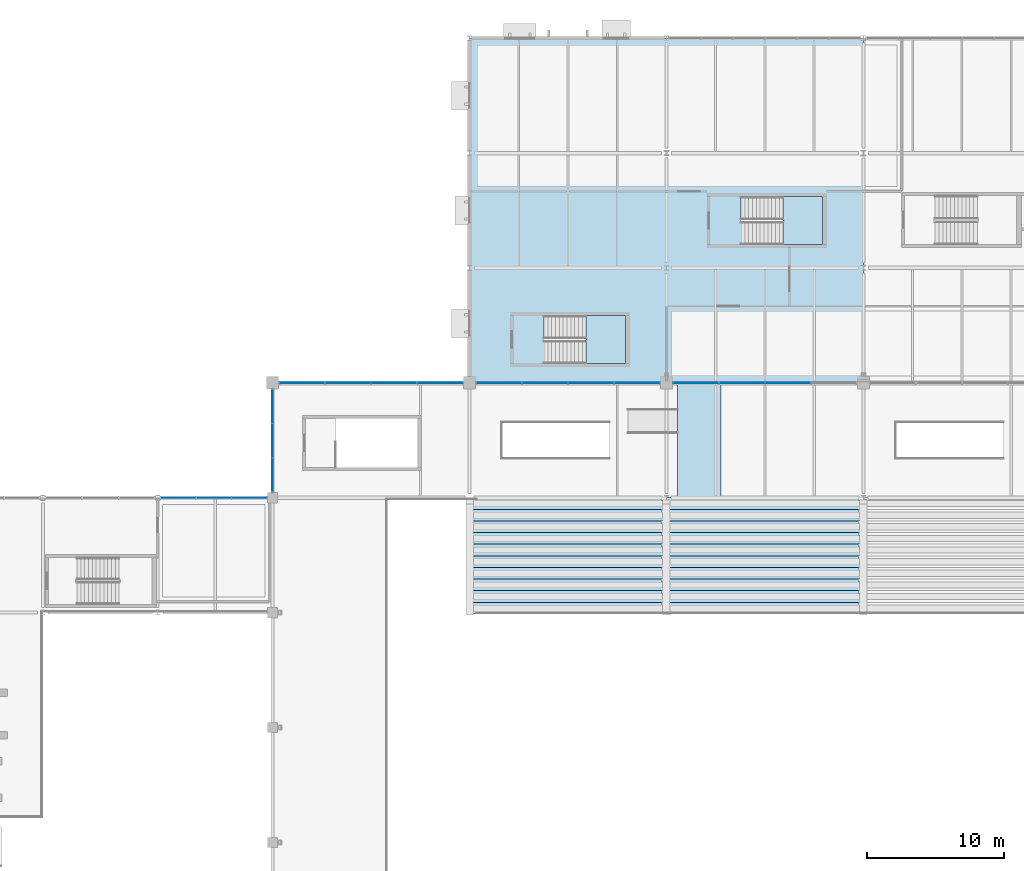
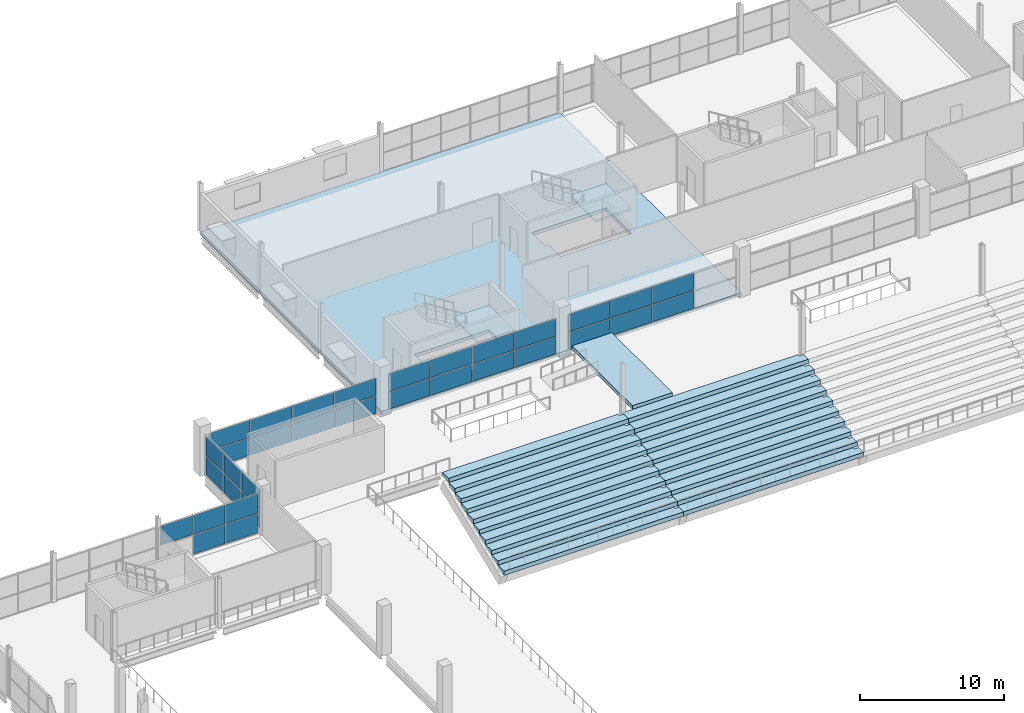
# One storey, part 126 of 161: 33 plates, 24 slabs, 7 elements without a shape of their own.
"""IFC4 building model written with IfcOpenShell, lengths in metres."""

from ifc_helpers import new_model, si_unit, direction, frame, origin, origin_2d, place, context, subcontext, project, spatial, polyline, rectangle, outline, extrude, material, layer, layer_set, type_object, element, aggregate, save


model = new_model("IFC4")

# Units and contexts
model_context = context("Model", 3, precision=1e-05, world=origin(), true_north=direction((0.0, 1.0)))
body_context = subcontext(model_context, "Body", "Model", "MODEL_VIEW")
ifc_project = project(units=[si_unit("LENGTHUNIT", "METRE"), si_unit("AREAUNIT", "SQUARE_METRE"), si_unit("VOLUMEUNIT", "CUBIC_METRE"), si_unit("PLANEANGLEUNIT", "RADIAN"), si_unit("MASSUNIT", "GRAM", prefix="KILO"), si_unit("THERMODYNAMICTEMPERATUREUNIT", "KELVIN")], contexts=[model_context])

# Site, building, storey
site_placement = place(None, origin())
site = spatial("IfcSite", under=ifc_project, at=site_placement, CompositionType="ELEMENT")
building_placement = place(site_placement, origin())
building = spatial("IfcBuilding", under=site, at=building_placement, Name="Nduvali Passage Aquatics Centre", CompositionType="ELEMENT")
storey_placement = place(building_placement, frame((0.0, 0.0, 4.800048828125)))
storey = spatial("IfcBuildingStorey", under=building, at=storey_placement, Name="L01", CompositionType="ELEMENT", Elevation=4.800048828125)

# Curtain wall, plates
ifc_material_1 = material(Name="Aluminium EN AW-6063 T6", Category="aluminium")
curtain_wall_type_1 = type_object("IfcCurtainWallType", Name="ENV-CW-HALL", PredefinedType="NOTDEFINED", material=ifc_material_1)
curtain_wall_1_placement = place(storey_placement, origin())
curtain_wall_1 = element("IfcCurtainWall", 1, at=curtain_wall_1_placement, inside=storey, type_object=curtain_wall_type_1, Name="L01 West Pool Hall Gallery Glazing 012", PredefinedType="NOTDEFINED")
ifc_material_2 = material(Name="Laminated solar-control low-E IGU")
ifc_layer_1 = layer(ifc_material_2, 0.031982421875, Name="Laminated solar-control low-E IGU")
ifc_layer_set_1 = layer_set([ifc_layer_1], Name="Laminated solar-control low-E IGU")
plate_type = type_object("IfcPlateType", Name="ENV-PLT-GLZ32", PredefinedType="CURTAIN_PANEL", material=ifc_layer_set_1)
plate_1_placement = place(storey_placement, frame((25.199951171875, 85.652587890625, 0.06005859375), z_axis=(0.0, 0.0, 1.0), x_axis=(0.0, 1.0, 0.0)))
plate_1 = element("IfcPlate", 2, at=plate_1_placement, type_object=plate_type, Name="West Pool Hall Gallery Glazing Glazed Panel B1-R1", PredefinedType="CURTAIN_PANEL", context=body_context, shape_type="SweptSolid", body=[
    extrude(rectangle(XDim=2.43505859375, YDim=0.031982421875, at=origin_2d()), origin(), (0.0, 0.0, 1.0), 1.6083984375),
])
plate_2_placement = place(storey_placement, frame((25.199951171875, 85.652587890625, 1.728271484375), z_axis=(0.0, 0.0, 1.0), x_axis=(0.0, 1.0, 0.0)))
plate_2 = element("IfcPlate", 3, at=plate_2_placement, type_object=plate_type, Name="West Pool Hall Gallery Glazing Glazed Panel B1-R2", PredefinedType="CURTAIN_PANEL", context=body_context, shape_type="SweptSolid", body=[
    extrude(rectangle(XDim=2.43505859375, YDim=0.031982421875, at=origin_2d()), origin(), (0.0, 0.0, 1.0), 1.6083984375),
])
plate_3_placement = place(storey_placement, frame((25.199951171875, 88.16259765625, 0.06005859375), z_axis=(0.0, 0.0, 1.0), x_axis=(0.0, 1.0, 0.0)))
plate_3 = element("IfcPlate", 4, at=plate_3_placement, type_object=plate_type, Name="West Pool Hall Gallery Glazing Glazed Panel B2-R1", PredefinedType="CURTAIN_PANEL", context=body_context, shape_type="SweptSolid", body=[
    extrude(rectangle(XDim=2.465087890625, YDim=0.031982421875, at=origin_2d()), origin(), (0.0, 0.0, 1.0), 1.6083984375),
])
plate_4_placement = place(storey_placement, frame((25.199951171875, 88.16259765625, 1.728271484375), z_axis=(0.0, 0.0, 1.0), x_axis=(0.0, 1.0, 0.0)))
plate_4 = element("IfcPlate", 5, at=plate_4_placement, type_object=plate_type, Name="West Pool Hall Gallery Glazing Glazed Panel B2-R2", PredefinedType="CURTAIN_PANEL", context=body_context, shape_type="SweptSolid", body=[
    extrude(rectangle(XDim=2.465087890625, YDim=0.031982421875, at=origin_2d()), origin(), (0.0, 0.0, 1.0), 1.6083984375),
])
plate_5_placement = place(storey_placement, frame((25.199951171875, 90.672607421875, 0.06005859375), z_axis=(0.0, 0.0, 1.0), x_axis=(0.0, 1.0, 0.0)))
plate_5 = element("IfcPlate", 6, at=plate_5_placement, type_object=plate_type, Name="West Pool Hall Gallery Glazing Glazed Panel B3-R1", PredefinedType="CURTAIN_PANEL", context=body_context, shape_type="SweptSolid", body=[
    extrude(rectangle(XDim=2.43505859375, YDim=0.031982421875, at=origin_2d()), origin(), (0.0, 0.0, 1.0), 1.6083984375),
])
plate_6_placement = place(storey_placement, frame((25.199951171875, 90.672607421875, 1.728271484375), z_axis=(0.0, 0.0, 1.0), x_axis=(0.0, 1.0, 0.0)))
plate_6 = element("IfcPlate", 7, at=plate_6_placement, type_object=plate_type, Name="West Pool Hall Gallery Glazing Glazed Panel B3-R2", PredefinedType="CURTAIN_PANEL", context=body_context, shape_type="SweptSolid", body=[
    extrude(rectangle(XDim=2.43505859375, YDim=0.031982421875, at=origin_2d()), origin(), (0.0, 0.0, 1.0), 1.6083984375),
])
aggregate(curtain_wall_1, [plate_1, plate_2, plate_3, plate_4, plate_5, plate_6])

curtain_wall_2_placement = place(storey_placement, origin())
curtain_wall_2 = element("IfcCurtainWall", 8, at=curtain_wall_2_placement, inside=storey, type_object=curtain_wall_type_1, Name="L01 North Pool Hall Corner CW 054", PredefinedType="NOTDEFINED")
plate_7_placement = place(storey_placement, frame((27.3525390625, 92.39990234375, 0.06005859375), z_axis=(0.0, 0.0, 1.0), x_axis=(1.0, 0.0, 0.0)))
plate_7 = element("IfcPlate", 9, at=plate_7_placement, type_object=plate_type, Name="North Pool Hall Corner CW Glazed Panel B1-R1", PredefinedType="CURTAIN_PANEL", context=body_context, shape_type="SweptSolid", body=[
    extrude(rectangle(XDim=3.284912109375, YDim=0.031982421875, at=origin_2d()), origin(), (0.0, 0.0, 1.0), 1.45751953125),
])
plate_8_placement = place(storey_placement, frame((27.3525390625, 92.39990234375, 1.57763671875), z_axis=(0.0, 0.0, 1.0), x_axis=(1.0, 0.0, 0.0)))
plate_8 = element("IfcPlate", 10, at=plate_8_placement, type_object=plate_type, Name="North Pool Hall Corner CW Glazed Panel B1-R2", PredefinedType="CURTAIN_PANEL", context=body_context, shape_type="SweptSolid", body=[
    extrude(rectangle(XDim=3.284912109375, YDim=0.031982421875, at=origin_2d()), origin(), (0.0, 0.0, 1.0), 1.45751953125),
])
plate_9_placement = place(storey_placement, frame((30.71240234375, 92.39990234375, 0.06005859375), z_axis=(0.0, 0.0, 1.0), x_axis=(1.0, 0.0, 0.0)))
plate_9 = element("IfcPlate", 11, at=plate_9_placement, type_object=plate_type, Name="North Pool Hall Corner CW Glazed Panel B2-R1", PredefinedType="CURTAIN_PANEL", context=body_context, shape_type="SweptSolid", body=[
    extrude(rectangle(XDim=3.31494140625, YDim=0.031982421875, at=origin_2d()), origin(), (0.0, 0.0, 1.0), 1.45751953125),
])
plate_10_placement = place(storey_placement, frame((30.71240234375, 92.39990234375, 1.57763671875), z_axis=(0.0, 0.0, 1.0), x_axis=(1.0, 0.0, 0.0)))
plate_10 = element("IfcPlate", 12, at=plate_10_placement, type_object=plate_type, Name="North Pool Hall Corner CW Glazed Panel B2-R2", PredefinedType="CURTAIN_PANEL", context=body_context, shape_type="SweptSolid", body=[
    extrude(rectangle(XDim=3.31494140625, YDim=0.031982421875, at=origin_2d()), origin(), (0.0, 0.0, 1.0), 1.45751953125),
])
plate_11_placement = place(storey_placement, frame((34.08740234375, 92.39990234375, 0.06005859375), z_axis=(0.0, 0.0, 1.0), x_axis=(1.0, 0.0, 0.0)))
plate_11 = element("IfcPlate", 13, at=plate_11_placement, type_object=plate_type, Name="North Pool Hall Corner CW Glazed Panel B3-R1", PredefinedType="CURTAIN_PANEL", context=body_context, shape_type="SweptSolid", body=[
    extrude(rectangle(XDim=3.31494140625, YDim=0.031982421875, at=origin_2d()), origin(), (0.0, 0.0, 1.0), 1.45751953125),
])
plate_12_placement = place(storey_placement, frame((34.08740234375, 92.39990234375, 1.57763671875), z_axis=(0.0, 0.0, 1.0), x_axis=(1.0, 0.0, 0.0)))
plate_12 = element("IfcPlate", 14, at=plate_12_placement, type_object=plate_type, Name="North Pool Hall Corner CW Glazed Panel B3-R2", PredefinedType="CURTAIN_PANEL", context=body_context, shape_type="SweptSolid", body=[
    extrude(rectangle(XDim=3.31494140625, YDim=0.031982421875, at=origin_2d()), origin(), (0.0, 0.0, 1.0), 1.45751953125),
])
plate_13_placement = place(storey_placement, frame((37.447509765625, 92.39990234375, 0.06005859375), z_axis=(0.0, 0.0, 1.0), x_axis=(1.0, 0.0, 0.0)))
plate_13 = element("IfcPlate", 15, at=plate_13_placement, type_object=plate_type, Name="North Pool Hall Corner CW Glazed Panel B4-R1", PredefinedType="CURTAIN_PANEL", context=body_context, shape_type="SweptSolid", body=[
    extrude(rectangle(XDim=3.284912109375, YDim=0.031982421875, at=origin_2d()), origin(), (0.0, 0.0, 1.0), 1.45751953125),
])
plate_14_placement = place(storey_placement, frame((37.447509765625, 92.39990234375, 1.57763671875), z_axis=(0.0, 0.0, 1.0), x_axis=(1.0, 0.0, 0.0)))
plate_14 = element("IfcPlate", 16, at=plate_14_placement, type_object=plate_type, Name="North Pool Hall Corner CW Glazed Panel B4-R2", PredefinedType="CURTAIN_PANEL", context=body_context, shape_type="SweptSolid", body=[
    extrude(rectangle(XDim=3.284912109375, YDim=0.031982421875, at=origin_2d()), origin(), (0.0, 0.0, 1.0), 1.45751953125),
])
aggregate(curtain_wall_2, [plate_7, plate_8, plate_9, plate_10, plate_11, plate_12, plate_13, plate_14])

curtain_wall_3_placement = place(storey_placement, origin())
curtain_wall_3 = element("IfcCurtainWall", 17, at=curtain_wall_3_placement, inside=storey, type_object=curtain_wall_type_1, Name="L01 North Pool Hall Concourse CW 058", PredefinedType="NOTDEFINED")
plate_15_placement = place(storey_placement, frame((41.75244140625, 92.39990234375, 0.06005859375), z_axis=(0.0, 0.0, 1.0), x_axis=(1.0, 0.0, 0.0)))
plate_15 = element("IfcPlate", 18, at=plate_15_placement, type_object=plate_type, Name="North Pool Hall Concourse CW Glazed Panel B1-R1", PredefinedType="CURTAIN_PANEL", context=body_context, shape_type="SweptSolid", body=[
    extrude(rectangle(XDim=3.284912109375, YDim=0.031982421875, at=origin_2d()), origin(), (0.0, 0.0, 1.0), 1.45751953125),
])
plate_16_placement = place(storey_placement, frame((41.75244140625, 92.39990234375, 1.57763671875), z_axis=(0.0, 0.0, 1.0), x_axis=(1.0, 0.0, 0.0)))
plate_16 = element("IfcPlate", 19, at=plate_16_placement, type_object=plate_type, Name="North Pool Hall Concourse CW Glazed Panel B1-R2", PredefinedType="CURTAIN_PANEL", context=body_context, shape_type="SweptSolid", body=[
    extrude(rectangle(XDim=3.284912109375, YDim=0.031982421875, at=origin_2d()), origin(), (0.0, 0.0, 1.0), 1.45751953125),
])
plate_17_placement = place(storey_placement, frame((45.112548828125, 92.39990234375, 0.06005859375), z_axis=(0.0, 0.0, 1.0), x_axis=(1.0, 0.0, 0.0)))
plate_17 = element("IfcPlate", 20, at=plate_17_placement, type_object=plate_type, Name="North Pool Hall Concourse CW Glazed Panel B2-R1", PredefinedType="CURTAIN_PANEL", context=body_context, shape_type="SweptSolid", body=[
    extrude(rectangle(XDim=3.31494140625, YDim=0.031982421875, at=origin_2d()), origin(), (0.0, 0.0, 1.0), 1.45751953125),
])
plate_18_placement = place(storey_placement, frame((45.112548828125, 92.39990234375, 1.57763671875), z_axis=(0.0, 0.0, 1.0), x_axis=(1.0, 0.0, 0.0)))
plate_18 = element("IfcPlate", 21, at=plate_18_placement, type_object=plate_type, Name="North Pool Hall Concourse CW Glazed Panel B2-R2", PredefinedType="CURTAIN_PANEL", context=body_context, shape_type="SweptSolid", body=[
    extrude(rectangle(XDim=3.31494140625, YDim=0.031982421875, at=origin_2d()), origin(), (0.0, 0.0, 1.0), 1.45751953125),
])
plate_19_placement = place(storey_placement, frame((48.487548828125, 92.39990234375, 0.06005859375), z_axis=(0.0, 0.0, 1.0), x_axis=(1.0, 0.0, 0.0)))
plate_19 = element("IfcPlate", 22, at=plate_19_placement, type_object=plate_type, Name="North Pool Hall Concourse CW Glazed Panel B3-R1", PredefinedType="CURTAIN_PANEL", context=body_context, shape_type="SweptSolid", body=[
    extrude(rectangle(XDim=3.31494140625, YDim=0.031982421875, at=origin_2d()), origin(), (0.0, 0.0, 1.0), 1.45751953125),
])
plate_20_placement = place(storey_placement, frame((48.487548828125, 92.39990234375, 1.57763671875), z_axis=(0.0, 0.0, 1.0), x_axis=(1.0, 0.0, 0.0)))
plate_20 = element("IfcPlate", 23, at=plate_20_placement, type_object=plate_type, Name="North Pool Hall Concourse CW Glazed Panel B3-R2", PredefinedType="CURTAIN_PANEL", context=body_context, shape_type="SweptSolid", body=[
    extrude(rectangle(XDim=3.31494140625, YDim=0.031982421875, at=origin_2d()), origin(), (0.0, 0.0, 1.0), 1.45751953125),
])
plate_21_placement = place(storey_placement, frame((51.847412109375, 92.39990234375, 0.06005859375), z_axis=(0.0, 0.0, 1.0), x_axis=(1.0, 0.0, 0.0)))
plate_21 = element("IfcPlate", 24, at=plate_21_placement, type_object=plate_type, Name="North Pool Hall Concourse CW Glazed Panel B4-R1", PredefinedType="CURTAIN_PANEL", context=body_context, shape_type="SweptSolid", body=[
    extrude(rectangle(XDim=3.284912109375, YDim=0.031982421875, at=origin_2d()), origin(), (0.0, 0.0, 1.0), 1.45751953125),
])
plate_22_placement = place(storey_placement, frame((51.847412109375, 92.39990234375, 1.57763671875), z_axis=(0.0, 0.0, 1.0), x_axis=(1.0, 0.0, 0.0)))
plate_22 = element("IfcPlate", 25, at=plate_22_placement, type_object=plate_type, Name="North Pool Hall Concourse CW Glazed Panel B4-R2", PredefinedType="CURTAIN_PANEL", context=body_context, shape_type="SweptSolid", body=[
    extrude(rectangle(XDim=3.284912109375, YDim=0.031982421875, at=origin_2d()), origin(), (0.0, 0.0, 1.0), 1.45751953125),
])
aggregate(curtain_wall_3, [plate_15, plate_16, plate_17, plate_18, plate_19, plate_20, plate_21, plate_22])

curtain_wall_4_placement = place(storey_placement, origin())
curtain_wall_4 = element("IfcCurtainWall", 26, at=curtain_wall_4_placement, inside=storey, type_object=curtain_wall_type_1, Name="L01 North Pool Hall Concourse CW 061", PredefinedType="NOTDEFINED")
plate_23_placement = place(storey_placement, frame((56.152587890625, 92.39990234375, 0.06005859375), z_axis=(0.0, 0.0, 1.0), x_axis=(1.0, 0.0, 0.0)))
plate_23 = element("IfcPlate", 27, at=plate_23_placement, type_object=plate_type, Name="North Pool Hall Concourse CW Glazed Panel B1-R1", PredefinedType="CURTAIN_PANEL", context=body_context, shape_type="SweptSolid", body=[
    extrude(rectangle(XDim=3.284912109375, YDim=0.031982421875, at=origin_2d()), origin(), (0.0, 0.0, 1.0), 1.45751953125),
])
plate_24_placement = place(storey_placement, frame((56.152587890625, 92.39990234375, 1.57763671875), z_axis=(0.0, 0.0, 1.0), x_axis=(1.0, 0.0, 0.0)))
plate_24 = element("IfcPlate", 28, at=plate_24_placement, type_object=plate_type, Name="North Pool Hall Concourse CW Glazed Panel B1-R2", PredefinedType="CURTAIN_PANEL", context=body_context, shape_type="SweptSolid", body=[
    extrude(rectangle(XDim=3.284912109375, YDim=0.031982421875, at=origin_2d()), origin(), (0.0, 0.0, 1.0), 1.45751953125),
])
plate_25_placement = place(storey_placement, frame((59.512451171875, 92.39990234375, 0.06005859375), z_axis=(0.0, 0.0, 1.0), x_axis=(1.0, 0.0, 0.0)))
plate_25 = element("IfcPlate", 29, at=plate_25_placement, type_object=plate_type, Name="North Pool Hall Concourse CW Glazed Panel B2-R1", PredefinedType="CURTAIN_PANEL", context=body_context, shape_type="SweptSolid", body=[
    extrude(rectangle(XDim=3.31494140625, YDim=0.031982421875, at=origin_2d()), origin(), (0.0, 0.0, 1.0), 1.45751953125),
])
plate_26_placement = place(storey_placement, frame((59.512451171875, 92.39990234375, 1.57763671875), z_axis=(0.0, 0.0, 1.0), x_axis=(1.0, 0.0, 0.0)))
plate_26 = element("IfcPlate", 30, at=plate_26_placement, type_object=plate_type, Name="North Pool Hall Concourse CW Glazed Panel B2-R2", PredefinedType="CURTAIN_PANEL", context=body_context, shape_type="SweptSolid", body=[
    extrude(rectangle(XDim=3.31494140625, YDim=0.031982421875, at=origin_2d()), origin(), (0.0, 0.0, 1.0), 1.45751953125),
])
plate_27_placement = place(storey_placement, frame((62.887451171875, 92.39990234375, 0.06005859375), z_axis=(0.0, 0.0, 1.0), x_axis=(1.0, 0.0, 0.0)))
plate_27 = element("IfcPlate", 31, at=plate_27_placement, type_object=plate_type, Name="North Pool Hall Concourse CW Glazed Panel B3-R1", PredefinedType="CURTAIN_PANEL", context=body_context, shape_type="SweptSolid", body=[
    extrude(rectangle(XDim=3.31494140625, YDim=0.031982421875, at=origin_2d()), origin(), (0.0, 0.0, 1.0), 1.45751953125),
])
plate_28_placement = place(storey_placement, frame((62.887451171875, 92.39990234375, 1.57763671875), z_axis=(0.0, 0.0, 1.0), x_axis=(1.0, 0.0, 0.0)))
plate_28 = element("IfcPlate", 32, at=plate_28_placement, type_object=plate_type, Name="North Pool Hall Concourse CW Glazed Panel B3-R2", PredefinedType="CURTAIN_PANEL", context=body_context, shape_type="SweptSolid", body=[
    extrude(rectangle(XDim=3.31494140625, YDim=0.031982421875, at=origin_2d()), origin(), (0.0, 0.0, 1.0), 1.45751953125),
])
aggregate(curtain_wall_4, [plate_23, plate_24, plate_25, plate_26, plate_27, plate_28])

curtain_wall_type_2 = type_object("IfcCurtainWallType", Name="ENV-CW-DIVE", PredefinedType="NOTDEFINED", material=ifc_material_1)
curtain_wall_5_placement = place(storey_placement, origin())
curtain_wall_5 = element("IfcCurtainWall", 33, at=curtain_wall_5_placement, inside=storey, type_object=curtain_wall_type_2, Name="L01 Diving Gallery Clerestory CW 159", PredefinedType="NOTDEFINED")
plate_29_placement = place(storey_placement, frame((18.277587890625, 84.0, 1.728271484375), z_axis=(0.0, 0.0, 1.0), x_axis=(1.0, 0.0, 0.0)))
plate_29 = element("IfcPlate", 34, at=plate_29_placement, type_object=plate_type, Name="Diving Gallery Clerestory CW Glazed Panel B1-R2", PredefinedType="CURTAIN_PANEL", context=body_context, shape_type="SweptSolid", body=[
    extrude(rectangle(XDim=2.534912109375, YDim=0.031982421875, at=origin_2d()), origin(), (0.0, 0.0, 1.0), 1.6083984375),
])
plate_30_placement = place(storey_placement, frame((20.887451171875, 84.0, 0.06005859375), z_axis=(0.0, 0.0, 1.0), x_axis=(1.0, 0.0, 0.0)))
plate_30 = element("IfcPlate", 35, at=plate_30_placement, type_object=plate_type, Name="Diving Gallery Clerestory CW Glazed Panel B2-R1", PredefinedType="CURTAIN_PANEL", context=body_context, shape_type="SweptSolid", body=[
    extrude(rectangle(XDim=2.56494140625, YDim=0.031982421875, at=origin_2d()), origin(), (0.0, 0.0, 1.0), 1.6083984375),
])
plate_31_placement = place(storey_placement, frame((20.887451171875, 84.0, 1.728271484375), z_axis=(0.0, 0.0, 1.0), x_axis=(1.0, 0.0, 0.0)))
plate_31 = element("IfcPlate", 36, at=plate_31_placement, type_object=plate_type, Name="Diving Gallery Clerestory CW Glazed Panel B2-R2", PredefinedType="CURTAIN_PANEL", context=body_context, shape_type="SweptSolid", body=[
    extrude(rectangle(XDim=2.56494140625, YDim=0.031982421875, at=origin_2d()), origin(), (0.0, 0.0, 1.0), 1.6083984375),
])
plate_32_placement = place(storey_placement, frame((23.49755859375, 84.0, 0.06005859375), z_axis=(0.0, 0.0, 1.0), x_axis=(1.0, 0.0, 0.0)))
plate_32 = element("IfcPlate", 37, at=plate_32_placement, type_object=plate_type, Name="Diving Gallery Clerestory CW Glazed Panel B3-R1", PredefinedType="CURTAIN_PANEL", context=body_context, shape_type="SweptSolid", body=[
    extrude(rectangle(XDim=2.534912109375, YDim=0.031982421875, at=origin_2d()), origin(), (0.0, 0.0, 1.0), 1.6083984375),
])
plate_33_placement = place(storey_placement, frame((23.49755859375, 84.0, 1.728271484375), z_axis=(0.0, 0.0, 1.0), x_axis=(1.0, 0.0, 0.0)))
plate_33 = element("IfcPlate", 38, at=plate_33_placement, type_object=plate_type, Name="Diving Gallery Clerestory CW Glazed Panel B3-R2", PredefinedType="CURTAIN_PANEL", context=body_context, shape_type="SweptSolid", body=[
    extrude(rectangle(XDim=2.534912109375, YDim=0.031982421875, at=origin_2d()), origin(), (0.0, 0.0, 1.0), 1.6083984375),
])
aggregate(curtain_wall_5, [plate_29, plate_30, plate_31, plate_32, plate_33])

# Stair, slab
ifc_material_3 = material(Name="Concrete C40/50", Category="concrete")
stair_type = type_object("IfcStairType", Name="INT-STR-CORE168", PredefinedType="HALF_TURN_STAIR", material=ifc_material_3)
stair_1_placement = place(storey_placement, origin())
stair_1 = element("IfcStair", 39, at=stair_1_placement, inside=storey, type_object=stair_type, Name="L01 ST3", PredefinedType="HALF_TURN_STAIR")
ifc_layer_2 = layer(ifc_material_3, 0.219970703125, Name="Concrete C40/50")
ifc_layer_set_2 = layer_set([ifc_layer_2], Name="Concrete C40/50")
slab_type_1 = type_object("IfcSlabType", Name="INT-SLB-LAND170", PredefinedType="LANDING", material=ifc_layer_set_2)
slab_1_placement = place(storey_placement, frame((0.0, 0.0, 1.8798828125)))
slab_1 = element("IfcSlab", 40, at=slab_1_placement, type_object=slab_type_1, Name="ST3 landing 1", PredefinedType="LANDING", context=body_context, shape_type="SweptSolid", body=[
    extrude(outline(polyline([(62.530029296875, 102.5), (65.39990234375, 102.5), (65.39990234375, 106.010009765625), (62.530029296875, 106.010009765625), (62.530029296875, 102.5)])), origin(), (0.0, 0.0, 1.0), 0.219970703125),
])
aggregate(stair_1, [slab_1])

stair_2_placement = place(storey_placement, origin())
stair_2 = element("IfcStair", 41, at=stair_2_placement, inside=storey, type_object=stair_type, Name="L01 ST4", PredefinedType="HALF_TURN_STAIR")
slab_2_placement = place(storey_placement, frame((0.0, 0.0, 1.8798828125)))
slab_2 = element("IfcSlab", 42, at=slab_2_placement, type_object=slab_type_1, Name="ST4 landing 1", PredefinedType="LANDING", context=body_context, shape_type="SweptSolid", body=[
    extrude(outline(polyline([(48.1298828125, 93.800048828125), (51.0, 93.800048828125), (51.0, 97.31005859375), (48.1298828125, 97.31005859375), (48.1298828125, 93.800048828125)])), origin(), (0.0, 0.0, 1.0), 0.219970703125),
])
aggregate(stair_2, [slab_2])

# Slabs
ifc_layer_3 = layer(ifc_material_3, 0.280029296875, Name="Concrete C40/50")
ifc_layer_set_3 = layer_set([ifc_layer_3], Name="Concrete C40/50")
slab_type_2 = type_object("IfcSlabType", Name="STR-SLB-FLR280", PredefinedType="FLOOR", material=ifc_layer_set_3)
slab_3_placement = place(storey_placement, frame((0.0, 0.0, -0.280029296875)))
element("IfcSlab", 43, at=slab_3_placement, inside=storey, type_object=slab_type_2, Name="L01 Conditioning Gym and Hydrotherapy Floor Slab 1", PredefinedType="FLOOR", context=body_context, shape_type="SweptSolid", body=[
    extrude(outline(polyline([(39.60009765625, 92.449951171875), (68.39990234375, 92.449951171875), (68.39990234375, 117.60009765625), (39.60009765625, 117.60009765625), (39.60009765625, 92.449951171875)]), holes=[polyline([(59.72998046875, 102.5), (65.39990234375, 102.5), (65.39990234375, 106.010009765625), (59.449951171875, 106.010009765625), (59.449951171875, 104.179931640625), (59.72998046875, 104.179931640625), (59.72998046875, 102.5)]), polyline([(45.330078125, 93.800048828125), (51.0, 93.800048828125), (51.0, 97.31005859375), (45.050048828125, 97.31005859375), (45.050048828125, 95.47998046875), (45.330078125, 95.47998046875), (45.330078125, 93.800048828125)])]), origin(), (0.0, 0.0, 1.0), 0.280029296875),
])
ifc_layer_4 = layer(ifc_material_3, 0.300048828125, Name="Concrete C40/50")
ifc_layer_set_4 = layer_set([ifc_layer_4], Name="Concrete C40/50")
slab_type_3 = type_object("IfcSlabType", Name="STR-SLB-PLINTH300", PredefinedType="FLOOR", material=ifc_layer_set_4)
slab_4_placement = place(storey_placement, origin())
element("IfcSlab", 44, at=slab_4_placement, inside=storey, type_object=slab_type_3, Name="North Stand West Wheelchair Viewing Platform Ramp PR4 Raised Viewing Plinth Slab", PredefinedType="FLOOR", context=body_context, shape_type="SweptSolid", body=[
    extrude(outline(polyline([(54.800048828125, 84.0), (58.0, 84.0), (58.0, 92.39990234375), (54.800048828125, 92.39990234375), (54.800048828125, 84.0)])), origin(), (0.0, 0.0, 1.0), 0.300048828125),
])
ifc_material_4 = material(Name="Precast concrete C40/50", Category="concrete")
ifc_layer_5 = layer(ifc_material_4, 0.360107421875, Name="Precast concrete C40/50")
ifc_layer_set_5 = layer_set([ifc_layer_5], Name="Precast concrete C40/50")
slab_type_4 = type_object("IfcSlabType", Name="STR-SLB-TIER360", PredefinedType="USERDEFINED", material=ifc_layer_set_5)
slab_5_placement = place(storey_placement, frame((0.0, 0.0, -3.60009765625)))
element("IfcSlab", 45, at=slab_5_placement, inside=storey, type_object=slab_type_4, Name="Stand North Bay 1 Seating Tier Row 01", ObjectType="SEATING TIER", PredefinedType="USERDEFINED", context=body_context, shape_type="SweptSolid", body=[
    extrude(outline(polyline([(39.60009765625, 75.5), (54.0, 75.5), (54.0, 76.169921875), (53.64990234375, 76.169921875), (53.64990234375, 76.35009765625), (39.60009765625, 76.35009765625), (39.60009765625, 75.5)])), origin(), (0.0, 0.0, 1.0), 0.360107421875),
])
slab_6_placement = place(storey_placement, frame((0.0, 0.0, -3.60009765625)))
element("IfcSlab", 46, at=slab_6_placement, inside=storey, type_object=slab_type_4, Name="Stand North Bay 2 Seating Tier Row 01", ObjectType="SEATING TIER", PredefinedType="USERDEFINED", context=body_context, shape_type="SweptSolid", body=[
    extrude(outline(polyline([(54.0, 75.5), (68.39990234375, 75.5), (68.39990234375, 76.169921875), (68.050048828125, 76.169921875), (68.050048828125, 76.35009765625), (54.0, 76.35009765625), (54.0, 75.5)])), origin(), (0.0, 0.0, 1.0), 0.360107421875),
])
slab_7_placement = place(storey_placement, frame((0.0, 0.0, -3.239990234375)))
element("IfcSlab", 47, at=slab_7_placement, inside=storey, type_object=slab_type_4, Name="Stand North Bay 1 Seating Tier Row 02", ObjectType="SEATING TIER", PredefinedType="USERDEFINED", context=body_context, shape_type="SweptSolid", body=[
    extrude(outline(polyline([(39.60009765625, 76.35009765625), (54.0, 76.35009765625), (54.0, 77.02001953125), (53.64990234375, 77.02001953125), (53.64990234375, 77.199951171875), (39.60009765625, 77.199951171875), (39.60009765625, 76.35009765625)])), origin(), (0.0, 0.0, 1.0), 0.35986328125),
])
slab_8_placement = place(storey_placement, frame((0.0, 0.0, -3.239990234375)))
element("IfcSlab", 48, at=slab_8_placement, inside=storey, type_object=slab_type_4, Name="Stand North Bay 2 Seating Tier Row 02", ObjectType="SEATING TIER", PredefinedType="USERDEFINED", context=body_context, shape_type="SweptSolid", body=[
    extrude(outline(polyline([(54.0, 76.35009765625), (68.39990234375, 76.35009765625), (68.39990234375, 77.02001953125), (68.050048828125, 77.02001953125), (68.050048828125, 77.199951171875), (54.0, 77.199951171875), (54.0, 76.35009765625)])), origin(), (0.0, 0.0, 1.0), 0.35986328125),
])
slab_9_placement = place(storey_placement, frame((0.0, 0.0, -2.880126953125)))
element("IfcSlab", 49, at=slab_9_placement, inside=storey, type_object=slab_type_4, Name="Stand North Bay 1 Seating Tier Row 03", ObjectType="SEATING TIER", PredefinedType="USERDEFINED", context=body_context, shape_type="SweptSolid", body=[
    extrude(outline(polyline([(39.60009765625, 77.199951171875), (54.0, 77.199951171875), (54.0, 77.8701171875), (53.64990234375, 77.8701171875), (53.64990234375, 78.050048828125), (39.60009765625, 78.050048828125), (39.60009765625, 77.199951171875)])), origin(), (0.0, 0.0, 1.0), 0.360107421875),
])
slab_10_placement = place(storey_placement, frame((0.0, 0.0, -2.880126953125)))
element("IfcSlab", 50, at=slab_10_placement, inside=storey, type_object=slab_type_4, Name="Stand North Bay 2 Seating Tier Row 03", ObjectType="SEATING TIER", PredefinedType="USERDEFINED", context=body_context, shape_type="SweptSolid", body=[
    extrude(outline(polyline([(54.0, 77.199951171875), (68.39990234375, 77.199951171875), (68.39990234375, 77.8701171875), (68.050048828125, 77.8701171875), (68.050048828125, 78.050048828125), (54.0, 78.050048828125), (54.0, 77.199951171875)])), origin(), (0.0, 0.0, 1.0), 0.360107421875),
])
slab_11_placement = place(storey_placement, frame((0.0, 0.0, -2.52001953125)))
element("IfcSlab", 51, at=slab_11_placement, inside=storey, type_object=slab_type_4, Name="Stand North Bay 1 Seating Tier Row 04", ObjectType="SEATING TIER", PredefinedType="USERDEFINED", context=body_context, shape_type="SweptSolid", body=[
    extrude(outline(polyline([(39.60009765625, 78.050048828125), (54.0, 78.050048828125), (54.0, 78.719970703125), (53.64990234375, 78.719970703125), (53.64990234375, 78.89990234375), (39.60009765625, 78.89990234375), (39.60009765625, 78.050048828125)])), origin(), (0.0, 0.0, 1.0), 0.35986328125),
])
slab_12_placement = place(storey_placement, frame((0.0, 0.0, -2.52001953125)))
element("IfcSlab", 52, at=slab_12_placement, inside=storey, type_object=slab_type_4, Name="Stand North Bay 2 Seating Tier Row 04", ObjectType="SEATING TIER", PredefinedType="USERDEFINED", context=body_context, shape_type="SweptSolid", body=[
    extrude(outline(polyline([(54.0, 78.050048828125), (68.39990234375, 78.050048828125), (68.39990234375, 78.719970703125), (68.050048828125, 78.719970703125), (68.050048828125, 78.89990234375), (54.0, 78.89990234375), (54.0, 78.050048828125)])), origin(), (0.0, 0.0, 1.0), 0.35986328125),
])
slab_13_placement = place(storey_placement, frame((0.0, 0.0, -2.16015625)))
element("IfcSlab", 53, at=slab_13_placement, inside=storey, type_object=slab_type_4, Name="Stand North Bay 1 Seating Tier Row 05", ObjectType="SEATING TIER", PredefinedType="USERDEFINED", context=body_context, shape_type="SweptSolid", body=[
    extrude(outline(polyline([(39.60009765625, 78.89990234375), (54.0, 78.89990234375), (54.0, 79.570068359375), (53.64990234375, 79.570068359375), (53.64990234375, 79.75), (39.60009765625, 79.75), (39.60009765625, 78.89990234375)])), origin(), (0.0, 0.0, 1.0), 0.360107421875),
])
slab_14_placement = place(storey_placement, frame((0.0, 0.0, -2.16015625)))
element("IfcSlab", 54, at=slab_14_placement, inside=storey, type_object=slab_type_4, Name="Stand North Bay 2 Seating Tier Row 05", ObjectType="SEATING TIER", PredefinedType="USERDEFINED", context=body_context, shape_type="SweptSolid", body=[
    extrude(outline(polyline([(54.0, 78.89990234375), (68.39990234375, 78.89990234375), (68.39990234375, 79.570068359375), (68.050048828125, 79.570068359375), (68.050048828125, 79.75), (54.0, 79.75), (54.0, 78.89990234375)])), origin(), (0.0, 0.0, 1.0), 0.360107421875),
])
slab_15_placement = place(storey_placement, frame((0.0, 0.0, -1.800048828125)))
element("IfcSlab", 55, at=slab_15_placement, inside=storey, type_object=slab_type_4, Name="Stand North Bay 1 Seating Tier Row 06", ObjectType="SEATING TIER", PredefinedType="USERDEFINED", context=body_context, shape_type="SweptSolid", body=[
    extrude(outline(polyline([(39.60009765625, 79.75), (54.0, 79.75), (54.0, 80.419921875), (53.64990234375, 80.419921875), (53.64990234375, 80.60009765625), (39.60009765625, 80.60009765625), (39.60009765625, 79.75)])), origin(), (0.0, 0.0, 1.0), 0.360107421875),
])
slab_16_placement = place(storey_placement, frame((0.0, 0.0, -1.800048828125)))
element("IfcSlab", 56, at=slab_16_placement, inside=storey, type_object=slab_type_4, Name="Stand North Bay 2 Seating Tier Row 06", ObjectType="SEATING TIER", PredefinedType="USERDEFINED", context=body_context, shape_type="SweptSolid", body=[
    extrude(outline(polyline([(54.0, 79.75), (68.39990234375, 79.75), (68.39990234375, 80.419921875), (68.050048828125, 80.419921875), (68.050048828125, 80.60009765625), (54.0, 80.60009765625), (54.0, 79.75)])), origin(), (0.0, 0.0, 1.0), 0.360107421875),
])
slab_17_placement = place(storey_placement, frame((0.0, 0.0, -1.43994140625)))
element("IfcSlab", 57, at=slab_17_placement, inside=storey, type_object=slab_type_4, Name="Stand North Bay 1 Seating Tier Row 07", ObjectType="SEATING TIER", PredefinedType="USERDEFINED", context=body_context, shape_type="SweptSolid", body=[
    extrude(outline(polyline([(39.60009765625, 80.60009765625), (54.0, 80.60009765625), (54.0, 81.27001953125), (53.64990234375, 81.27001953125), (53.64990234375, 81.449951171875), (39.60009765625, 81.449951171875), (39.60009765625, 80.60009765625)])), origin(), (0.0, 0.0, 1.0), 0.35986328125),
])
slab_18_placement = place(storey_placement, frame((0.0, 0.0, -1.43994140625)))
element("IfcSlab", 58, at=slab_18_placement, inside=storey, type_object=slab_type_4, Name="Stand North Bay 2 Seating Tier Row 07", ObjectType="SEATING TIER", PredefinedType="USERDEFINED", context=body_context, shape_type="SweptSolid", body=[
    extrude(outline(polyline([(54.0, 80.60009765625), (68.39990234375, 80.60009765625), (68.39990234375, 81.27001953125), (68.050048828125, 81.27001953125), (68.050048828125, 81.449951171875), (54.0, 81.449951171875), (54.0, 80.60009765625)])), origin(), (0.0, 0.0, 1.0), 0.35986328125),
])
slab_19_placement = place(storey_placement, frame((0.0, 0.0, -1.080078125)))
element("IfcSlab", 59, at=slab_19_placement, inside=storey, type_object=slab_type_4, Name="Stand North Bay 1 Seating Tier Row 08", ObjectType="SEATING TIER", PredefinedType="USERDEFINED", context=body_context, shape_type="SweptSolid", body=[
    extrude(outline(polyline([(39.60009765625, 81.449951171875), (54.0, 81.449951171875), (54.0, 82.1201171875), (53.64990234375, 82.1201171875), (53.64990234375, 82.300048828125), (39.60009765625, 82.300048828125), (39.60009765625, 81.449951171875)])), origin(), (0.0, 0.0, 1.0), 0.360107421875),
])
slab_20_placement = place(storey_placement, frame((0.0, 0.0, -1.080078125)))
element("IfcSlab", 60, at=slab_20_placement, inside=storey, type_object=slab_type_4, Name="Stand North Bay 2 Seating Tier Row 08", ObjectType="SEATING TIER", PredefinedType="USERDEFINED", context=body_context, shape_type="SweptSolid", body=[
    extrude(outline(polyline([(54.0, 81.449951171875), (68.39990234375, 81.449951171875), (68.39990234375, 82.1201171875), (68.050048828125, 82.1201171875), (68.050048828125, 82.300048828125), (54.0, 82.300048828125), (54.0, 81.449951171875)])), origin(), (0.0, 0.0, 1.0), 0.360107421875),
])
slab_21_placement = place(storey_placement, frame((0.0, 0.0, -0.719970703125)))
element("IfcSlab", 61, at=slab_21_placement, inside=storey, type_object=slab_type_4, Name="Stand North Bay 1 Seating Tier Row 09", ObjectType="SEATING TIER", PredefinedType="USERDEFINED", context=body_context, shape_type="SweptSolid", body=[
    extrude(outline(polyline([(39.60009765625, 82.300048828125), (54.0, 82.300048828125), (54.0, 82.969970703125), (53.64990234375, 82.969970703125), (53.64990234375, 83.14990234375), (39.60009765625, 83.14990234375), (39.60009765625, 82.300048828125)])), origin(), (0.0, 0.0, 1.0), 0.35986328125),
])
slab_22_placement = place(storey_placement, frame((0.0, 0.0, -0.719970703125)))
element("IfcSlab", 62, at=slab_22_placement, inside=storey, type_object=slab_type_4, Name="Stand North Bay 2 Seating Tier Row 09", ObjectType="SEATING TIER", PredefinedType="USERDEFINED", context=body_context, shape_type="SweptSolid", body=[
    extrude(outline(polyline([(54.0, 82.300048828125), (68.39990234375, 82.300048828125), (68.39990234375, 82.969970703125), (68.050048828125, 82.969970703125), (68.050048828125, 83.14990234375), (54.0, 83.14990234375), (54.0, 82.300048828125)])), origin(), (0.0, 0.0, 1.0), 0.35986328125),
])
slab_23_placement = place(storey_placement, frame((0.0, 0.0, -0.360107421875)))
element("IfcSlab", 63, at=slab_23_placement, inside=storey, type_object=slab_type_4, Name="Stand North Bay 1 Seating Tier Row 10", ObjectType="SEATING TIER", PredefinedType="USERDEFINED", context=body_context, shape_type="SweptSolid", body=[
    extrude(outline(polyline([(39.60009765625, 83.14990234375), (54.0, 83.14990234375), (54.0, 83.820068359375), (53.64990234375, 83.820068359375), (53.64990234375, 84.0), (39.60009765625, 84.0), (39.60009765625, 83.14990234375)])), origin(), (0.0, 0.0, 1.0), 0.360107421875),
])
slab_24_placement = place(storey_placement, frame((0.0, 0.0, -0.360107421875)))
element("IfcSlab", 64, at=slab_24_placement, inside=storey, type_object=slab_type_4, Name="Stand North Bay 2 Seating Tier Row 10", ObjectType="SEATING TIER", PredefinedType="USERDEFINED", context=body_context, shape_type="SweptSolid", body=[
    extrude(outline(polyline([(54.0, 83.14990234375), (68.39990234375, 83.14990234375), (68.39990234375, 83.820068359375), (68.050048828125, 83.820068359375), (68.050048828125, 84.0), (54.0, 84.0), (54.0, 83.14990234375)])), origin(), (0.0, 0.0, 1.0), 0.360107421875),
])

save(model, "model.ifc")
